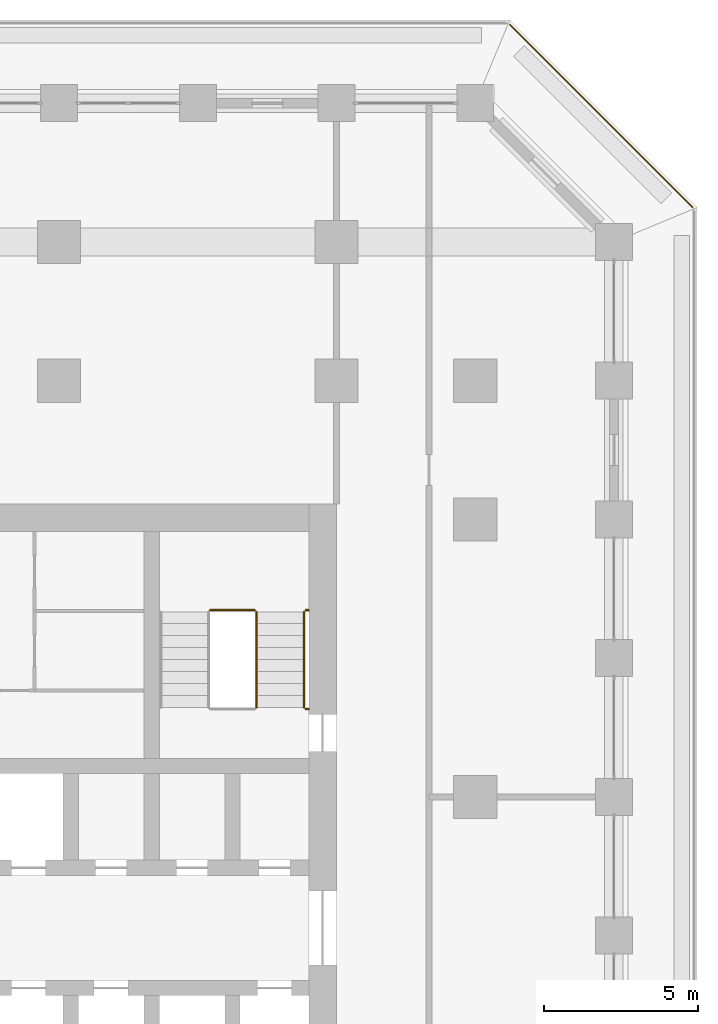
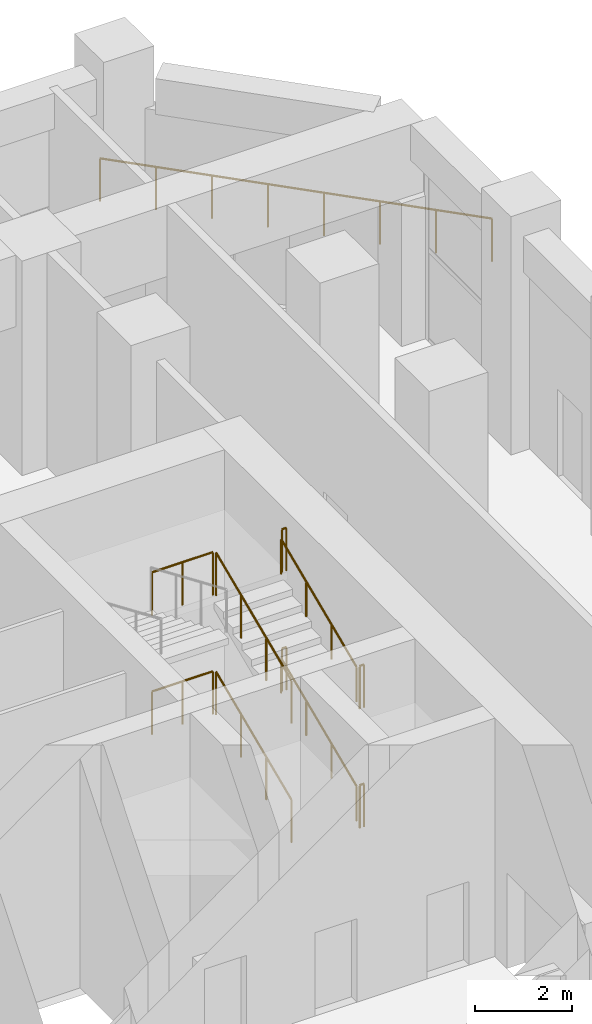
# One storey, part 23 of 24: 11 railings.
"""IFC4 building model written with IfcOpenShell, lengths in metres."""

from ifc_helpers import new_model, si_unit, direction, frame, origin, origin_2d, place, context, subcontext, project, spatial, circle, extrude, material, type_object, element, save


model = new_model("IFC4")

# Units and contexts
model_context = context("Model", 3, precision=1e-05, world=origin(), true_north=direction((0.0, 1.0)))
body_context = subcontext(model_context, "Body", "Model", "MODEL_VIEW")
ifc_project = project(units=[si_unit("LENGTHUNIT", "METRE"), si_unit("AREAUNIT", "SQUARE_METRE"), si_unit("VOLUMEUNIT", "CUBIC_METRE"), si_unit("PLANEANGLEUNIT", "RADIAN"), si_unit("MASSUNIT", "GRAM", prefix="KILO")], contexts=[model_context])

# Site, building, storey
site_placement = place(None, origin())
site = spatial("IfcSite", under=ifc_project, at=site_placement, CompositionType="ELEMENT")
building_placement = place(site_placement, origin())
building = spatial("IfcBuilding", under=site, at=building_placement, Name="Corbel Stack Research Tower", CompositionType="ELEMENT")
storey_placement = place(building_placement, frame((0.0, 0.0, 145.39990234375)))
storey = spatial("IfcBuildingStorey", under=building, at=storey_placement, Name="L33", CompositionType="ELEMENT", Elevation=145.39990234375)

# Railings
ifc_material_1 = material(Name="Steel S355", Category="steel")
railing_type_1 = type_object("IfcRailingType", Name="Stair guard 1100", PredefinedType="GUARDRAIL", material=ifc_material_1)
railing_1_placement = place(storey_placement, frame((15.39990234375, 11.89990234375, 0.166748046875)))
element("IfcRailing", 1, at=railing_1_placement, inside=storey, type_object=railing_type_1, Name="L33 ST-E2 stair guard 1", PredefinedType="GUARDRAIL", context=body_context, shape_type="SweptSolid", body=[
    extrude(circle(Radius=0.02392578125, at=origin_2d()), frame((0.0, 0.0, 1.076171875), z_axis=(0.0, 0.918826996994, 0.394660549834), x_axis=(-1.0, 0.0, 0.0)), (0.0, 0.0, 1.0), 3.378173828125),
    extrude(circle(Radius=0.02099609375, at=origin_2d()), origin(), (0.0, 0.0, 1.0), 1.052001953125),
    extrude(circle(Radius=0.02099609375, at=origin_2d()), frame((0.0, 1.03466796875, 0.4443359375)), (0.0, 0.0, 1.0), 1.052001953125),
    extrude(circle(Radius=0.02099609375, at=origin_2d()), frame((0.0, 2.0693359375, 0.888916015625)), (0.0, 0.0, 1.0), 1.052001953125),
    extrude(circle(Radius=0.02099609375, at=origin_2d()), frame((0.0, 3.10400390625, 1.333251953125)), (0.0, 0.0, 1.0), 1.052001953125),
])
railing_2_placement = place(storey_placement, frame((15.35009765625, 15.053955078125, 1.5)))
element("IfcRailing", 2, at=railing_2_placement, inside=storey, type_object=railing_type_1, Name="L33 ST-E2 stair guard 2", PredefinedType="GUARDRAIL", context=body_context, shape_type="SweptSolid", body=[
    extrude(circle(Radius=0.02392578125, at=origin_2d()), frame((0.0, 0.0, 1.076171875), z_axis=(-1.0, 0.0, 0.0), x_axis=(0.0, -1.0, 0.0)), (0.0, 0.0, 1.0), 1.4501953125),
    extrude(circle(Radius=0.02099609375, at=origin_2d()), origin(), (0.0, 0.0, 1.0), 1.052001953125),
    extrude(circle(Radius=0.02099609375, at=origin_2d()), frame((-0.72509765625, 0.0, 0.0)), (0.0, 0.0, 1.0), 1.052001953125),
    extrude(circle(Radius=0.02099609375, at=origin_2d()), frame((-1.4501953125, 0.0, 0.0)), (0.0, 0.0, 1.0), 1.052001953125),
])
for number, where, name in (
    (3, (17.10009765625, 15.053955078125, 1.5), "L33 ST-E2 stair guard 3"),
    (4, (17.10009765625, 11.85009765625, 3.0), "L33 ST-E2 stair guard 6"),
):
    element("IfcRailing", number, at=place(storey_placement, frame(where)), inside=storey, type_object=railing_type_1, Name=name, PredefinedType="GUARDRAIL", context=body_context, shape_type="SweptSolid", body=[
        extrude(circle(Radius=0.02392578125, at=origin_2d()), frame((0.0, 0.0, 1.076171875), z_axis=(-1.0, 0.0, 0.0), x_axis=(0.0, -1.0, 0.0)), (0.0, 0.0, 1.0), 0.10009765625),
        extrude(circle(Radius=0.02099609375, at=origin_2d()), origin(), (0.0, 0.0, 1.0), 1.052001953125),
        extrude(circle(Radius=0.02099609375, at=origin_2d()), frame((-0.10009765625, 0.0, 0.0)), (0.0, 0.0, 1.0), 1.052001953125),
    ])
railing_3_placement = place(storey_placement, frame((15.39990234375, 11.89990234375, 3.166748046875)))
element("IfcRailing", 5, at=railing_3_placement, inside=storey, type_object=railing_type_1, Name="L33 ST-E2 stair guard 7", PredefinedType="GUARDRAIL", context=body_context, shape_type="SweptSolid", body=[
    extrude(circle(Radius=0.02392578125, at=origin_2d()), frame((0.0, 0.0, 1.076171875), z_axis=(0.0, 0.918826996994, 0.394660549834), x_axis=(-1.0, 0.0, 0.0)), (0.0, 0.0, 1.0), 3.378173828125),
    extrude(circle(Radius=0.02099609375, at=origin_2d()), origin(), (0.0, 0.0, 1.0), 1.052001953125),
    extrude(circle(Radius=0.02099609375, at=origin_2d()), frame((0.0, 1.03466796875, 0.4443359375)), (0.0, 0.0, 1.0), 1.052001953125),
    extrude(circle(Radius=0.02099609375, at=origin_2d()), frame((0.0, 2.0693359375, 0.888916015625)), (0.0, 0.0, 1.0), 1.052001953125),
    extrude(circle(Radius=0.02099609375, at=origin_2d()), frame((0.0, 3.10400390625, 1.333251953125)), (0.0, 0.0, 1.0), 1.052001953125),
])
railing_4_placement = place(storey_placement, frame((15.35009765625, 15.053955078125, 4.5)))
element("IfcRailing", 6, at=railing_4_placement, inside=storey, type_object=railing_type_1, Name="L33 ST-E2 stair guard 8", PredefinedType="GUARDRAIL", context=body_context, shape_type="SweptSolid", body=[
    extrude(circle(Radius=0.02392578125, at=origin_2d()), frame((0.0, 0.0, 1.076171875), z_axis=(-1.0, 0.0, 0.0), x_axis=(0.0, -1.0, 0.0)), (0.0, 0.0, 1.0), 1.4501953125),
    extrude(circle(Radius=0.02099609375, at=origin_2d()), origin(), (0.0, 0.0, 1.0), 1.052001953125),
    extrude(circle(Radius=0.02099609375, at=origin_2d()), frame((-0.72509765625, 0.0, 0.0)), (0.0, 0.0, 1.0), 1.052001953125),
    extrude(circle(Radius=0.02099609375, at=origin_2d()), frame((-1.4501953125, 0.0, 0.0)), (0.0, 0.0, 1.0), 1.052001953125),
])
for number, where, name in (
    (7, (17.10009765625, 15.053955078125, 4.5), "L33 ST-E2 stair guard 9"),
    (8, (17.10009765625, 11.85009765625, 0.0), "L33 ST-E2 stair guard 12"),
):
    element("IfcRailing", number, at=place(storey_placement, frame(where)), inside=storey, type_object=railing_type_1, Name=name, PredefinedType="GUARDRAIL", context=body_context, shape_type="SweptSolid", body=[
        extrude(circle(Radius=0.02392578125, at=origin_2d()), frame((0.0, 0.0, 1.076171875), z_axis=(-1.0, 0.0, 0.0), x_axis=(0.0, -1.0, 0.0)), (0.0, 0.0, 1.0), 0.10009765625),
        extrude(circle(Radius=0.02099609375, at=origin_2d()), origin(), (0.0, 0.0, 1.0), 1.052001953125),
        extrude(circle(Radius=0.02099609375, at=origin_2d()), frame((-0.10009765625, 0.0, 0.0)), (0.0, 0.0, 1.0), 1.052001953125),
    ])
ifc_material_2 = material(Name="Steel S355", Category="steel")
railing_type_2 = type_object("IfcRailingType", Name="Stair handrail 900", PredefinedType="HANDRAIL", material=ifc_material_2)
for number, where, name in (
    (9, (16.949951171875, 11.89990234375, 0.166748046875), "L33 ST-E2 stair handrail 1"),
    (10, (16.949951171875, 11.89990234375, 3.166748046875), "L33 ST-E2 stair handrail 3"),
):
    element("IfcRailing", number, at=place(storey_placement, frame(where)), inside=storey, type_object=railing_type_2, Name=name, PredefinedType="HANDRAIL", context=body_context, shape_type="SweptSolid", body=[
        extrude(circle(Radius=0.02392578125, at=origin_2d()), frame((0.0, 0.0, 0.8759765625), z_axis=(0.0, 0.918826996994, 0.394660549834), x_axis=(-1.0, 0.0, 0.0)), (0.0, 0.0, 1.0), 3.378173828125),
        extrude(circle(Radius=0.02099609375, at=origin_2d()), origin(), (0.0, 0.0, 1.0), 0.851806640625),
        extrude(circle(Radius=0.02099609375, at=origin_2d()), frame((0.0, 1.03466796875, 0.4443359375)), (0.0, 0.0, 1.0), 0.851806640625),
        extrude(circle(Radius=0.02099609375, at=origin_2d()), frame((0.0, 2.0693359375, 0.888916015625)), (0.0, 0.0, 1.0), 0.851806640625),
        extrude(circle(Radius=0.02099609375, at=origin_2d()), frame((0.0, 3.10400390625, 1.333251953125)), (0.0, 0.0, 1.0), 0.851806640625),
    ])
ifc_material_3 = material(Name="Powder-coated steel guard", Category="steel")
railing_type_3 = type_object("IfcRailingType", Name="Steel and glass guard 1100", PredefinedType="GUARDRAIL", material=ifc_material_3)
railing_5_placement = place(storey_placement, frame((29.54931640625, 28.127685546875, 0.0)))
element("IfcRailing", 11, at=railing_5_placement, inside=storey, type_object=railing_type_3, Name="Loggia guard L33 NE", PredefinedType="GUARDRAIL", context=body_context, shape_type="SweptSolid", body=[
    extrude(circle(Radius=0.02392578125, at=origin_2d()), frame((0.0, 0.0, 1.076171875), z_axis=(-0.707106781187, 0.707106781187, 0.0), x_axis=(-0.707106781187, -0.707106781187, 0.0)), (0.0, 0.0, 1.0), 8.37451171875),
    extrude(circle(Radius=0.02099609375, at=origin_2d()), origin(), (0.0, 0.0, 1.0), 1.052001953125),
    extrude(circle(Radius=0.02099609375, at=origin_2d()), frame((-0.845947265625, 0.845947265625, 0.0)), (0.0, 0.0, 1.0), 1.052001953125),
    extrude(circle(Radius=0.02099609375, at=origin_2d()), frame((-1.69189453125, 1.69189453125, 0.0)), (0.0, 0.0, 1.0), 1.052001953125),
    extrude(circle(Radius=0.02099609375, at=origin_2d()), frame((-2.537841796875, 2.537841796875, 0.0)), (0.0, 0.0, 1.0), 1.052001953125),
    extrude(circle(Radius=0.02099609375, at=origin_2d()), frame((-3.3837890625, 3.3837890625, 0.0)), (0.0, 0.0, 1.0), 1.052001953125),
    extrude(circle(Radius=0.02099609375, at=origin_2d()), frame((-4.229736328125, 4.229736328125, 0.0)), (0.0, 0.0, 1.0), 1.052001953125),
    extrude(circle(Radius=0.02099609375, at=origin_2d()), frame((-5.07568359375, 5.07568359375, 0.0)), (0.0, 0.0, 1.0), 1.052001953125),
    extrude(circle(Radius=0.02099609375, at=origin_2d()), frame((-5.921630859375, 5.921630859375, 0.0)), (0.0, 0.0, 1.0), 1.052001953125),
])

save(model, "model.ifc")
